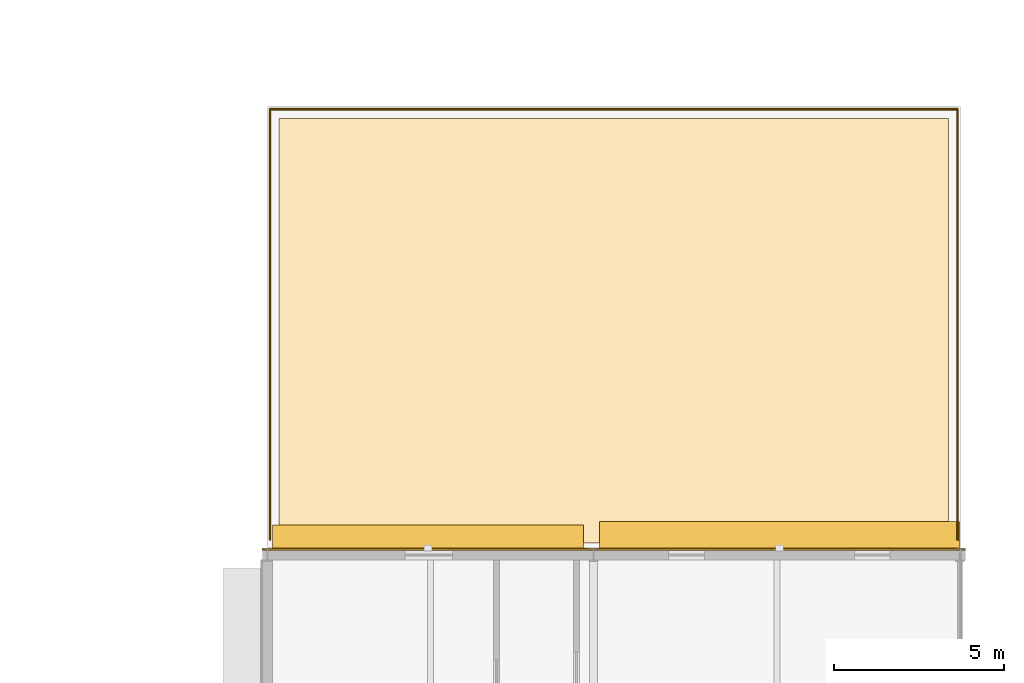
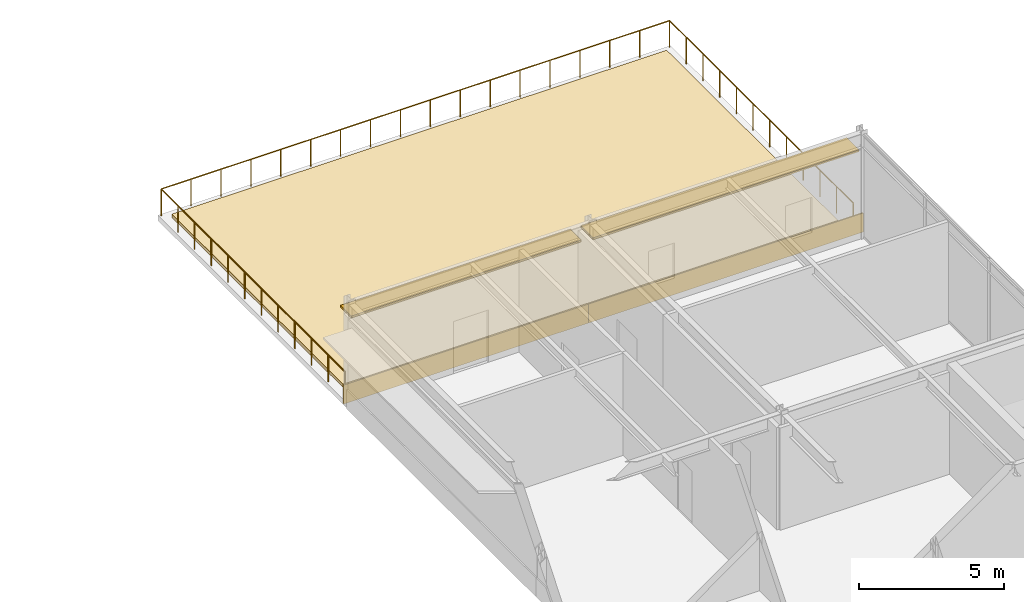
# One storey, part 22 of 22: 3 coverings, 3 railings, 2 shading devices.
"""IFC4 building model written with IfcOpenShell, lengths in metres."""

from ifc_helpers import new_model, si_unit, direction, frame, origin, origin_2d, place, context, subcontext, project, spatial, polyline, rectangle, circle, outline, extrude, material, layer, layer_set, type_object, element, save


model = new_model("IFC4")

# Units and contexts
model_context = context("Model", 3, precision=1e-05, world=origin(), true_north=direction((0.0, 1.0)))
body_context = subcontext(model_context, "Body", "Model", "MODEL_VIEW")
ifc_project = project(units=[si_unit("LENGTHUNIT", "METRE"), si_unit("AREAUNIT", "SQUARE_METRE"), si_unit("VOLUMEUNIT", "CUBIC_METRE"), si_unit("PLANEANGLEUNIT", "RADIAN"), si_unit("MASSUNIT", "GRAM", prefix="KILO")], contexts=[model_context])

# Site, building, storey
site_placement = place(None, origin())
site = spatial("IfcSite", under=ifc_project, at=site_placement, CompositionType="ELEMENT")
building_placement = place(site_placement, origin())
building = spatial("IfcBuilding", under=site, at=building_placement, Name="Almandine Court Research Institute", CompositionType="ELEMENT")
storey_placement = place(building_placement, frame((0.0, 0.0, 28.0)))
storey = spatial("IfcBuildingStorey", under=building, at=storey_placement, Name="L06", CompositionType="ELEMENT", Elevation=28.0)

# Coverings
ifc_material_1 = material(Name="Extruded Cream-Ochre Seismic Terracotta Spandrel", Category="masonry")
ifc_layer_1 = layer(ifc_material_1, 0.054931640625)
ifc_layer_set_1 = layer_set([ifc_layer_1], Name="Extruded Cream-Ochre Seismic Terracotta Spandrel")
covering_type_1 = type_object("IfcCoveringType", Name="Cov-CLAD-TERR", PredefinedType="CLADDING", material=ifc_layer_set_1)
covering_1_placement = place(storey_placement, frame((158.325927734375, 70.970947265625, 0.02001953125), z_axis=(0.0, 0.0, 1.0), x_axis=(1.0, 0.0, 0.0)))
element("IfcCovering", 1, at=covering_1_placement, inside=storey, type_object=covering_type_1, Name="L06 Facade Spandrel Cladding Band 205", PredefinedType="CLADDING", context=body_context, shape_type="SweptSolid", body=[
    extrude(rectangle(XDim=9.740966796875, YDim=0.054931640625, at=origin_2d()), origin(), (0.0, 0.0, 1.0), 0.800048828125),
])
covering_2_placement = place(storey_placement, frame((168.675048828125, 70.970947265625, 0.02001953125), z_axis=(0.0, 0.0, 1.0), x_axis=(1.0, 0.0, 0.0)))
element("IfcCovering", 2, at=covering_2_placement, inside=storey, type_object=covering_type_1, Name="L06 Facade Spandrel Cladding Band 206", PredefinedType="CLADDING", context=body_context, shape_type="SweptSolid", body=[
    extrude(rectangle(XDim=10.94091796875, YDim=0.054931640625, at=origin_2d()), origin(), (0.0, 0.0, 1.0), 0.800048828125),
])
ifc_material_2 = material(Name="Extensive Andean Sedum Planted Green Roof Build-Up")
ifc_layer_2 = layer(ifc_material_2, 0.139892578125)
ifc_layer_set_2 = layer_set([ifc_layer_2], Name="Extensive Andean Sedum Planted Green Roof Build-Up")
covering_type_2 = type_object("IfcCoveringType", Name="Cov-ROOF-GREEN", PredefinedType="ROOFING", material=ifc_layer_set_2)
covering_3_placement = place(storey_placement, origin())
element("IfcCovering", 3, at=covering_3_placement, inside=storey, type_object=covering_type_2, Name="L06 Planted Green Roof Covering 07", PredefinedType="ROOFING", context=body_context, shape_type="SweptSolid", body=[
    extrude(outline(polyline([(153.949951171875, 71.14990234375), (153.949951171875, 83.64990234375), (173.64990234375, 83.64990234375), (173.64990234375, 71.14990234375), (153.949951171875, 71.14990234375)])), origin(), (0.0, 0.0, 1.0), 0.139892578125),
])

# Railings
ifc_material_3 = material(Name="Architectural Powder-Coated Aluminium Balustrade", Category="aluminium")
railing_type = type_object("IfcRailingType", Name="Rail-BAL-EXT", PredefinedType="BALUSTRADE", material=ifc_material_3)
railing_1_placement = place(storey_placement, frame((153.679931640625, 71.25, 0.0)))
element("IfcRailing", 4, at=railing_1_placement, inside=storey, type_object=railing_type, Name="L06 Terrace Perimeter Balustrade 018", PredefinedType="BALUSTRADE", context=body_context, shape_type="SweptSolid", body=[
    extrude(circle(Radius=0.02392578125, at=origin_2d()), frame((0.0, 0.0, 1.1259765625), z_axis=(0.0, 1.0, 0.0), x_axis=(-1.0, 0.0, 0.0)), (0.0, 0.0, 1.0), 12.669921875),
    extrude(circle(Radius=0.02099609375, at=origin_2d()), origin(), (0.0, 0.0, 1.0), 1.101806640625),
    extrude(circle(Radius=0.02099609375, at=origin_2d()), frame((0.0, 1.15185546875, 0.0)), (0.0, 0.0, 1.0), 1.101806640625),
    extrude(circle(Radius=0.02099609375, at=origin_2d()), frame((0.0, 2.3037109375, 0.0)), (0.0, 0.0, 1.0), 1.101806640625),
    extrude(circle(Radius=0.02099609375, at=origin_2d()), frame((0.0, 3.455322265625, 0.0)), (0.0, 0.0, 1.0), 1.101806640625),
    extrude(circle(Radius=0.02099609375, at=origin_2d()), frame((0.0, 4.607177734375, 0.0)), (0.0, 0.0, 1.0), 1.101806640625),
    extrude(circle(Radius=0.02099609375, at=origin_2d()), frame((0.0, 5.759033203125, 0.0)), (0.0, 0.0, 1.0), 1.101806640625),
    extrude(circle(Radius=0.02099609375, at=origin_2d()), frame((0.0, 6.910888671875, 0.0)), (0.0, 0.0, 1.0), 1.101806640625),
    extrude(circle(Radius=0.02099609375, at=origin_2d()), frame((0.0, 8.062744140625, 0.0)), (0.0, 0.0, 1.0), 1.101806640625),
    extrude(circle(Radius=0.02099609375, at=origin_2d()), frame((0.0, 9.214599609375, 0.0)), (0.0, 0.0, 1.0), 1.101806640625),
    extrude(circle(Radius=0.02099609375, at=origin_2d()), frame((0.0, 10.3662109375, 0.0)), (0.0, 0.0, 1.0), 1.101806640625),
    extrude(circle(Radius=0.02099609375, at=origin_2d()), frame((0.0, 11.51806640625, 0.0)), (0.0, 0.0, 1.0), 1.101806640625),
    extrude(circle(Radius=0.02099609375, at=origin_2d()), frame((0.0, 12.669921875, 0.0)), (0.0, 0.0, 1.0), 1.101806640625),
])
railing_2_placement = place(storey_placement, frame((153.679931640625, 83.919921875, 0.0)))
element("IfcRailing", 5, at=railing_2_placement, inside=storey, type_object=railing_type, Name="L06 Terrace Perimeter Balustrade 019", PredefinedType="BALUSTRADE", context=body_context, shape_type="SweptSolid", body=[
    extrude(circle(Radius=0.02392578125, at=origin_2d()), frame((0.0, 0.0, 1.1259765625), z_axis=(1.0, 0.0, 0.0), x_axis=(0.0, 1.0, 0.0)), (0.0, 0.0, 1.0), 20.239990234375),
    extrude(circle(Radius=0.02099609375, at=origin_2d()), origin(), (0.0, 0.0, 1.0), 1.101806640625),
    extrude(circle(Radius=0.02099609375, at=origin_2d()), frame((1.190673828125, 0.0, 0.0)), (0.0, 0.0, 1.0), 1.101806640625),
    extrude(circle(Radius=0.02099609375, at=origin_2d()), frame((2.381103515625, 0.0, 0.0)), (0.0, 0.0, 1.0), 1.101806640625),
    extrude(circle(Radius=0.02099609375, at=origin_2d()), frame((3.57177734375, 0.0, 0.0)), (0.0, 0.0, 1.0), 1.101806640625),
    extrude(circle(Radius=0.02099609375, at=origin_2d()), frame((4.762451171875, 0.0, 0.0)), (0.0, 0.0, 1.0), 1.101806640625),
    extrude(circle(Radius=0.02099609375, at=origin_2d()), frame((5.952880859375, 0.0, 0.0)), (0.0, 0.0, 1.0), 1.101806640625),
    extrude(circle(Radius=0.02099609375, at=origin_2d()), frame((7.1435546875, 0.0, 0.0)), (0.0, 0.0, 1.0), 1.101806640625),
    extrude(circle(Radius=0.02099609375, at=origin_2d()), frame((8.334228515625, 0.0, 0.0)), (0.0, 0.0, 1.0), 1.101806640625),
    extrude(circle(Radius=0.02099609375, at=origin_2d()), frame((9.524658203125, 0.0, 0.0)), (0.0, 0.0, 1.0), 1.101806640625),
    extrude(circle(Radius=0.02099609375, at=origin_2d()), frame((10.71533203125, 0.0, 0.0)), (0.0, 0.0, 1.0), 1.101806640625),
    extrude(circle(Radius=0.02099609375, at=origin_2d()), frame((11.90576171875, 0.0, 0.0)), (0.0, 0.0, 1.0), 1.101806640625),
    extrude(circle(Radius=0.02099609375, at=origin_2d()), frame((13.096435546875, 0.0, 0.0)), (0.0, 0.0, 1.0), 1.101806640625),
    extrude(circle(Radius=0.02099609375, at=origin_2d()), frame((14.287109375, 0.0, 0.0)), (0.0, 0.0, 1.0), 1.101806640625),
    extrude(circle(Radius=0.02099609375, at=origin_2d()), frame((15.4775390625, 0.0, 0.0)), (0.0, 0.0, 1.0), 1.101806640625),
    extrude(circle(Radius=0.02099609375, at=origin_2d()), frame((16.668212890625, 0.0, 0.0)), (0.0, 0.0, 1.0), 1.101806640625),
    extrude(circle(Radius=0.02099609375, at=origin_2d()), frame((17.85888671875, 0.0, 0.0)), (0.0, 0.0, 1.0), 1.101806640625),
    extrude(circle(Radius=0.02099609375, at=origin_2d()), frame((19.04931640625, 0.0, 0.0)), (0.0, 0.0, 1.0), 1.101806640625),
    extrude(circle(Radius=0.02099609375, at=origin_2d()), frame((20.239990234375, 0.0, 0.0)), (0.0, 0.0, 1.0), 1.101806640625),
])
railing_3_placement = place(storey_placement, frame((173.919921875, 83.919921875, 0.0)))
element("IfcRailing", 6, at=railing_3_placement, inside=storey, type_object=railing_type, Name="L06 Terrace Perimeter Balustrade 020", PredefinedType="BALUSTRADE", context=body_context, shape_type="SweptSolid", body=[
    extrude(circle(Radius=0.02392578125, at=origin_2d()), frame((0.0, 0.0, 1.1259765625), z_axis=(0.0, -1.0, 0.0), x_axis=(1.0, 0.0, 0.0)), (0.0, 0.0, 1.0), 12.669921875),
    extrude(circle(Radius=0.02099609375, at=origin_2d()), origin(), (0.0, 0.0, 1.0), 1.101806640625),
    extrude(circle(Radius=0.02099609375, at=origin_2d()), frame((0.0, -1.15185546875, 0.0)), (0.0, 0.0, 1.0), 1.101806640625),
    extrude(circle(Radius=0.02099609375, at=origin_2d()), frame((0.0, -2.3037109375, 0.0)), (0.0, 0.0, 1.0), 1.101806640625),
    extrude(circle(Radius=0.02099609375, at=origin_2d()), frame((0.0, -3.455322265625, 0.0)), (0.0, 0.0, 1.0), 1.101806640625),
    extrude(circle(Radius=0.02099609375, at=origin_2d()), frame((0.0, -4.607177734375, 0.0)), (0.0, 0.0, 1.0), 1.101806640625),
    extrude(circle(Radius=0.02099609375, at=origin_2d()), frame((0.0, -5.759033203125, 0.0)), (0.0, 0.0, 1.0), 1.101806640625),
    extrude(circle(Radius=0.02099609375, at=origin_2d()), frame((0.0, -6.910888671875, 0.0)), (0.0, 0.0, 1.0), 1.101806640625),
    extrude(circle(Radius=0.02099609375, at=origin_2d()), frame((0.0, -8.062744140625, 0.0)), (0.0, 0.0, 1.0), 1.101806640625),
    extrude(circle(Radius=0.02099609375, at=origin_2d()), frame((0.0, -9.214599609375, 0.0)), (0.0, 0.0, 1.0), 1.101806640625),
    extrude(circle(Radius=0.02099609375, at=origin_2d()), frame((0.0, -10.3662109375, 0.0)), (0.0, 0.0, 1.0), 1.101806640625),
    extrude(circle(Radius=0.02099609375, at=origin_2d()), frame((0.0, -11.51806640625, 0.0)), (0.0, 0.0, 1.0), 1.101806640625),
    extrude(circle(Radius=0.02099609375, at=origin_2d()), frame((0.0, -12.669921875, 0.0)), (0.0, 0.0, 1.0), 1.101806640625),
])

# Shading devices
ifc_material_4 = material(Name="Precast GFRC Chhajja Sunshade and Acoustic Louvre", Category="concrete")
ifc_layer_3 = layer(ifc_material_4, 0.080078125)
ifc_layer_set_3 = layer_set([ifc_layer_3], Name="Precast GFRC Chhajja Sunshade and Acoustic Louvre")
shading_device_type_1 = type_object("IfcShadingDeviceType", Name="Shd-SD-33", PredefinedType="AWNING", material=ifc_layer_set_3)
shading_device_1_placement = place(storey_placement, frame((158.325927734375, 71.31005859375, 3.5458984375), z_axis=(0.0, 0.0, 1.0), x_axis=(1.0, 0.0, 0.0)))
element("IfcShadingDevice", 7, at=shading_device_1_placement, inside=storey, type_object=shading_device_type_1, Name="L06 Projecting Chhajja Sunshade 143", PredefinedType="AWNING", context=body_context, shape_type="SweptSolid", body=[
    extrude(rectangle(XDim=9.15087890625, YDim=0.75, at=origin_2d()), origin(), (0.0, 0.0, 1.0), 0.080078125),
])
ifc_layer_4 = layer(ifc_material_4, 0.080078125)
ifc_layer_set_4 = layer_set([ifc_layer_4], Name="Precast GFRC Chhajja Sunshade and Acoustic Louvre")
shading_device_type_2 = type_object("IfcShadingDeviceType", Name="Shd-SD-75", PredefinedType="AWNING", material=ifc_layer_set_4)
shading_device_2_placement = place(storey_placement, frame((168.675048828125, 71.360107421875, 3.468017578125), z_axis=(0.0, 0.0, 1.0), x_axis=(1.0, 0.0, 0.0)))
element("IfcShadingDevice", 8, at=shading_device_2_placement, inside=storey, type_object=shading_device_type_2, Name="L06 Projecting Chhajja Sunshade 144", PredefinedType="AWNING", context=body_context, shape_type="SweptSolid", body=[
    extrude(rectangle(XDim=10.591064453125, YDim=0.85009765625, at=origin_2d()), origin(), (0.0, 0.0, 1.0), 0.080078125),
])

save(model, "model.ifc")
